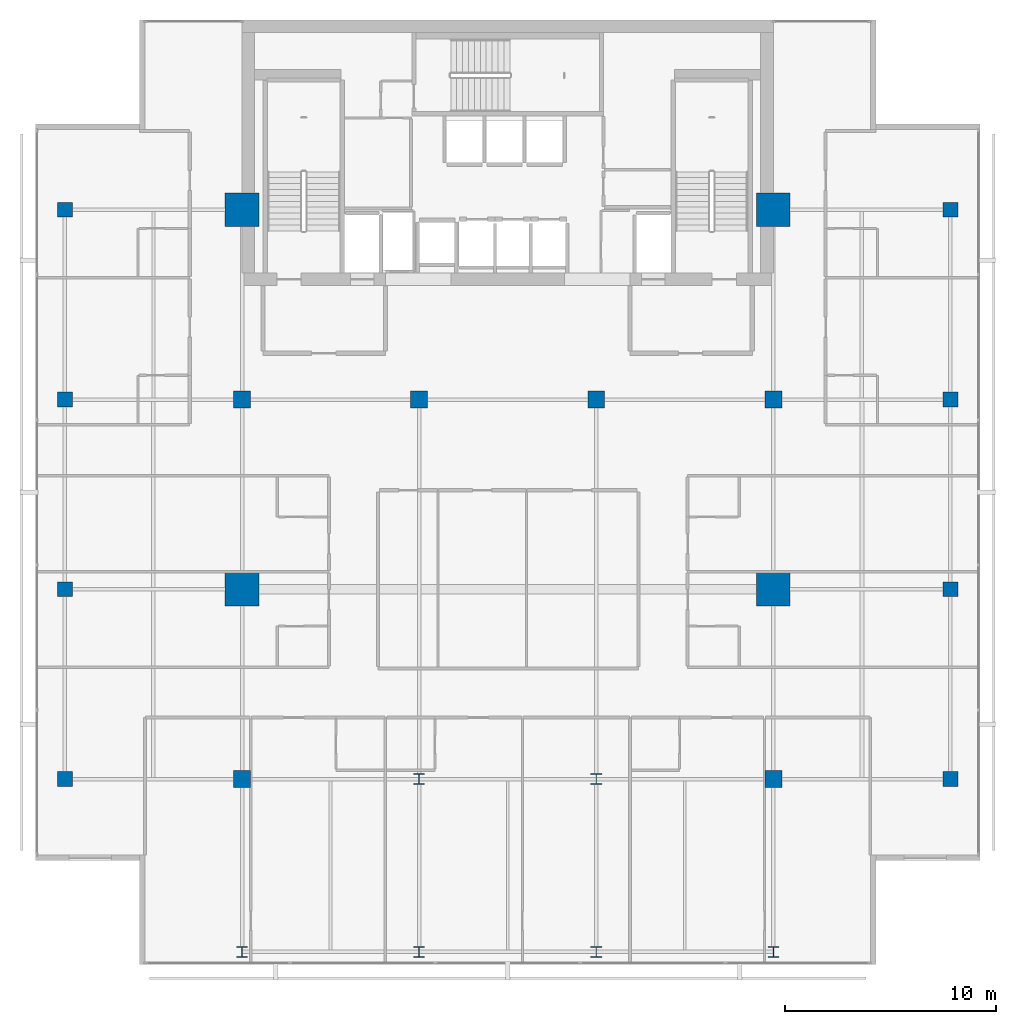
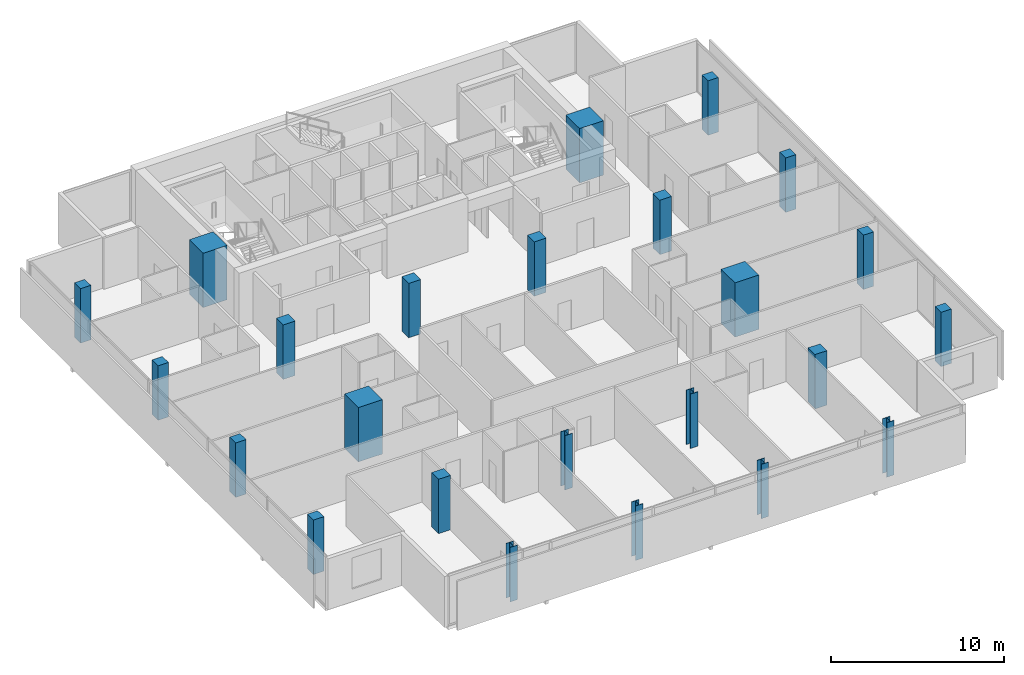
# One storey, part 1 of 25: 24 columns.
"""IFC4 building model written with IfcOpenShell, lengths in metres."""

from ifc_helpers import new_model, si_unit, direction, frame, origin, origin_2d, place, context, subcontext, project, spatial, rectangle, i_section, extrude, material, material_profile, profile_set, type_object, element, save


model = new_model("IFC4")

# Units and contexts
model_context = context("Model", 3, precision=1e-05, world=origin(), true_north=direction((0.0, 1.0)))
body_context = subcontext(model_context, "Body", "Model", "MODEL_VIEW")
ifc_project = project(units=[si_unit("LENGTHUNIT", "METRE"), si_unit("AREAUNIT", "SQUARE_METRE"), si_unit("VOLUMEUNIT", "CUBIC_METRE"), si_unit("PLANEANGLEUNIT", "RADIAN"), si_unit("MASSUNIT", "GRAM", prefix="KILO")], contexts=[model_context])

# Site, building, storey
site_placement = place(None, origin())
site = spatial("IfcSite", under=ifc_project, at=site_placement, CompositionType="ELEMENT")
building_placement = place(site_placement, origin())
building = spatial("IfcBuilding", under=site, at=building_placement, Name="Maruvema Waterfront Hotel and Observation Tower", CompositionType="ELEMENT")
storey_placement = place(building_placement, frame((0.0, 0.0, 297.14990234375)))
storey = spatial("IfcBuildingStorey", under=building, at=storey_placement, Name="L73", CompositionType="ELEMENT", Elevation=297.14990234375)

# Columns
ifc_material_1 = material(Name="Concrete C70/85", Category="concrete")
ifc_material_profile_1 = material_profile(ifc_material_1, rectangle(XDim=1.60009765625, YDim=1.60009765625, at=origin_2d()), Name="MC1600x1600")
ifc_profile_set_1 = profile_set([ifc_material_profile_1], Name="Concrete C70/85")
column_type_1 = type_object("IfcColumnType", Name="Continuous Mega-Column MC1600x1600", PredefinedType="COLUMN", material=ifc_profile_set_1)
for number, where, z_axis, x_axis, name in (
    (1, (25.199951171875, 27.0, 0.0), (0.0, 0.0, 1.0), (1.0, 0.0, 0.0), "L73 Continuous Mega-Column MC-01"),
    (2, (50.39990234375, 27.0, 0.0), (0.0, 0.0, 1.0), (1.0, 0.0, 0.0), "L73 Continuous Mega-Column MC-02"),
    (3, (25.199951171875, 45.0, 0.0), (0.0, 0.0, 1.0), (1.0, 0.0, 0.0), "L73 Continuous Mega-Column MC-03"),
    (4, (50.39990234375, 45.0, 0.0), (0.0, 0.0, 1.0), (1.0, 0.0, 0.0), "L73 Continuous Mega-Column MC-04"),
):
    element("IfcColumn", number, at=place(storey_placement, frame(where, z_axis=z_axis, x_axis=x_axis)), inside=storey, type_object=column_type_1, Name=name, PredefinedType="COLUMN", context=body_context, shape_type="SweptSolid", body=[
        extrude(rectangle(XDim=1.60009765625, YDim=1.60009765625, at=origin_2d()), origin(), (0.0, 0.0, 1.0), 3.85009765625),
    ])
ifc_material_2 = material(Name="Concrete C60/75", Category="concrete")
ifc_material_profile_2 = material_profile(ifc_material_2, rectangle(XDim=0.699951171875, YDim=0.699951171875, at=origin_2d()), Name="RC700x700")
ifc_profile_set_2 = profile_set([ifc_material_profile_2], Name="Concrete C60/75")
column_type_2 = type_object("IfcColumnType", Name="Reinforced Concrete Column RC700x700", PredefinedType="COLUMN", material=ifc_profile_set_2)
for number, where, z_axis, x_axis, name in (
    (5, (16.800048828125, 18.0, 0.0), (0.0, 0.0, 1.0), (1.0, 0.0, 0.0), "L73 Column C-3Y18"),
    (6, (58.800048828125, 18.0, 0.0), (0.0, 0.0, 1.0), (1.0, 0.0, 0.0), "L73 Column C-8Y18"),
    (7, (16.800048828125, 27.0, 0.0), (0.0, 0.0, 1.0), (1.0, 0.0, 0.0), "L73 Column C-3Y27"),
    (8, (58.800048828125, 27.0, 0.0), (0.0, 0.0, 1.0), (1.0, 0.0, 0.0), "L73 Column C-8Y27"),
    (9, (16.800048828125, 36.0, 0.0), (0.0, 0.0, 1.0), (1.0, 0.0, 0.0), "L73 Column C-3Y36"),
    (10, (58.800048828125, 36.0, 0.0), (0.0, 0.0, 1.0), (1.0, 0.0, 0.0), "L73 Column C-8Y36"),
    (11, (16.800048828125, 45.0, 0.0), (0.0, 0.0, 1.0), (1.0, 0.0, 0.0), "L73 Column C-3Y45"),
    (12, (58.800048828125, 45.0, 0.0), (0.0, 0.0, 1.0), (1.0, 0.0, 0.0), "L73 Column C-8Y45"),
):
    element("IfcColumn", number, at=place(storey_placement, frame(where, z_axis=z_axis, x_axis=x_axis)), inside=storey, type_object=column_type_2, Name=name, PredefinedType="COLUMN", context=body_context, shape_type="SweptSolid", body=[
        extrude(rectangle(XDim=0.699951171875, YDim=0.699951171875, at=origin_2d()), origin(), (0.0, 0.0, 1.0), 3.85009765625),
    ])
ifc_material_3 = material(Name="Concrete C60/75", Category="concrete")
ifc_material_profile_3 = material_profile(ifc_material_3, rectangle(XDim=0.800048828125, YDim=0.800048828125, at=origin_2d()), Name="RC800x800")
ifc_profile_set_3 = profile_set([ifc_material_profile_3], Name="Concrete C60/75")
column_type_3 = type_object("IfcColumnType", Name="Reinforced Concrete Column RC800x800", PredefinedType="COLUMN", material=ifc_profile_set_3)
for number, where, z_axis, x_axis, name in (
    (13, (25.199951171875, 36.0, 0.0), (0.0, 0.0, 1.0), (1.0, 0.0, 0.0), "L73 Column C-4E"),
    (14, (33.60009765625, 36.0, 0.0), (0.0, 0.0, 1.0), (1.0, 0.0, 0.0), "L73 Column C-5E"),
    (15, (42.0, 36.0, 0.0), (0.0, 0.0, 1.0), (1.0, 0.0, 0.0), "L73 Column C-6E"),
    (16, (50.39990234375, 36.0, 0.0), (0.0, 0.0, 1.0), (1.0, 0.0, 0.0), "L73 Column C-7E"),
    (17, (25.199951171875, 18.0, 0.0), (0.0, 0.0, 1.0), (1.0, 0.0, 0.0), "L73 Column C-4C"),
    (18, (50.39990234375, 18.0, 0.0), (0.0, 0.0, 1.0), (1.0, 0.0, 0.0), "L73 Column C-7C"),
):
    element("IfcColumn", number, at=place(storey_placement, frame(where, z_axis=z_axis, x_axis=x_axis)), inside=storey, type_object=column_type_3, Name=name, PredefinedType="COLUMN", context=body_context, shape_type="SweptSolid", body=[
        extrude(rectangle(XDim=0.800048828125, YDim=0.800048828125, at=origin_2d()), origin(), (0.0, 0.0, 1.0), 3.85009765625),
    ])
ifc_material_4 = material(Name="Steel ABNT NBR 7007 AR 415 (ASTM A572 Grade 50)", Category="steel")
ifc_material_profile_4 = material_profile(ifc_material_4, i_section(OverallWidth=0.5, OverallDepth=0.5, WebThickness=0.02197265625, FlangeThickness=0.031982421875, at=origin_2d()), Name="CVS500x223")
ifc_profile_set_4 = profile_set([ifc_material_profile_4], Name="Steel ABNT NBR 7007 AR 415 (ASTM A572 Grade 50)")
column_type_4 = type_object("IfcColumnType", Name="Structural Steel Column CVS500x223", PredefinedType="COLUMN", material=ifc_profile_set_4)
for number, where, z_axis, x_axis, name in (
    (19, (33.60009765625, 18.0, 0.0), (0.0, 0.0, 1.0), (1.0, 0.0, 0.0), "L73 Column C-5C"),
    (20, (42.0, 18.0, 0.0), (0.0, 0.0, 1.0), (1.0, 0.0, 0.0), "L73 Column C-6C"),
    (21, (25.199951171875, 9.800048828125, 0.0), (0.0, 0.0, 1.0), (1.0, 0.0, 0.0), "L73 Column C-Z3S4"),
    (22, (33.60009765625, 9.800048828125, 0.0), (0.0, 0.0, 1.0), (1.0, 0.0, 0.0), "L73 Column C-Z3S5"),
    (23, (42.0, 9.800048828125, 0.0), (0.0, 0.0, 1.0), (1.0, 0.0, 0.0), "L73 Column C-Z3S6"),
    (24, (50.39990234375, 9.800048828125, 0.0), (0.0, 0.0, 1.0), (1.0, 0.0, 0.0), "L73 Column C-Z3S7"),
):
    element("IfcColumn", number, at=place(storey_placement, frame(where, z_axis=z_axis, x_axis=x_axis)), inside=storey, type_object=column_type_4, Name=name, PredefinedType="COLUMN", context=body_context, shape_type="SweptSolid", body=[
        extrude(i_section(OverallWidth=0.5, OverallDepth=0.5, WebThickness=0.02197265625, FlangeThickness=0.031982421875, at=origin_2d()), origin(), (0.0, 0.0, 1.0), 3.85009765625),
    ])

save(model, "model.ifc")
